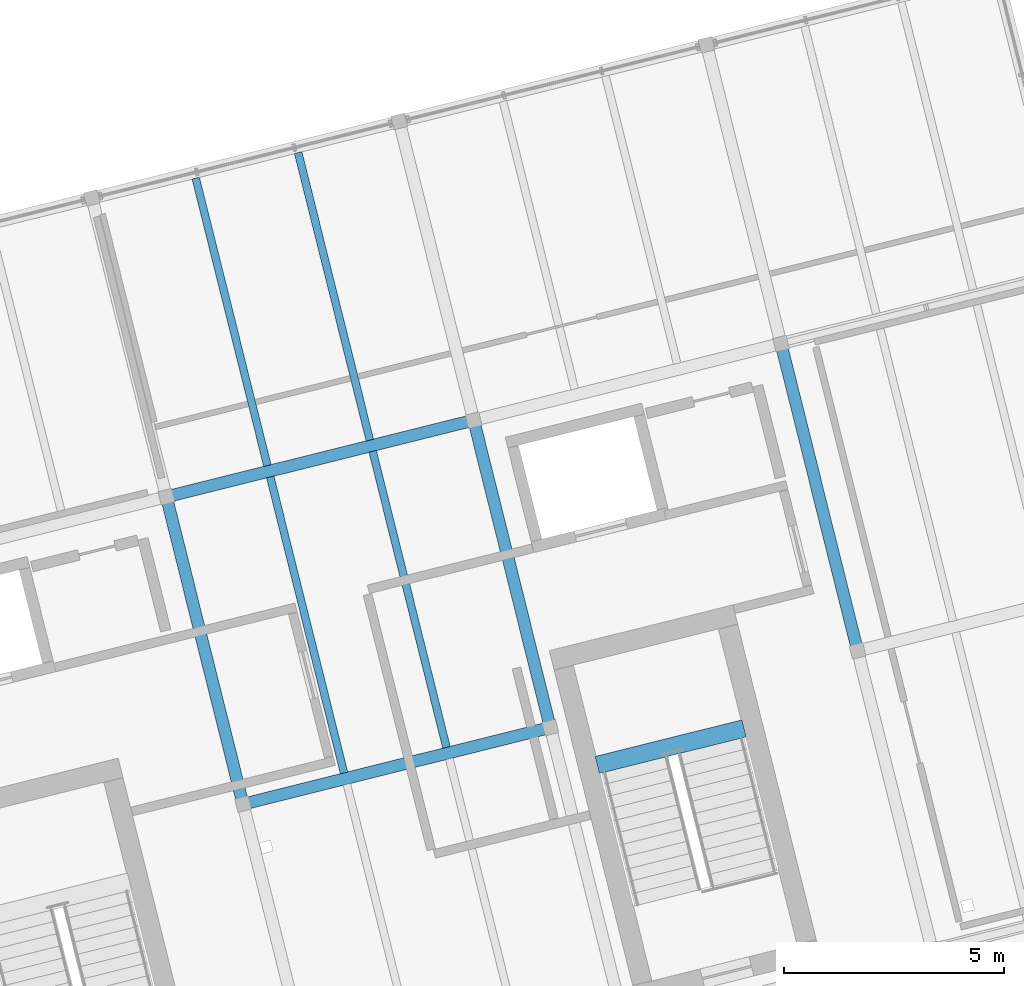
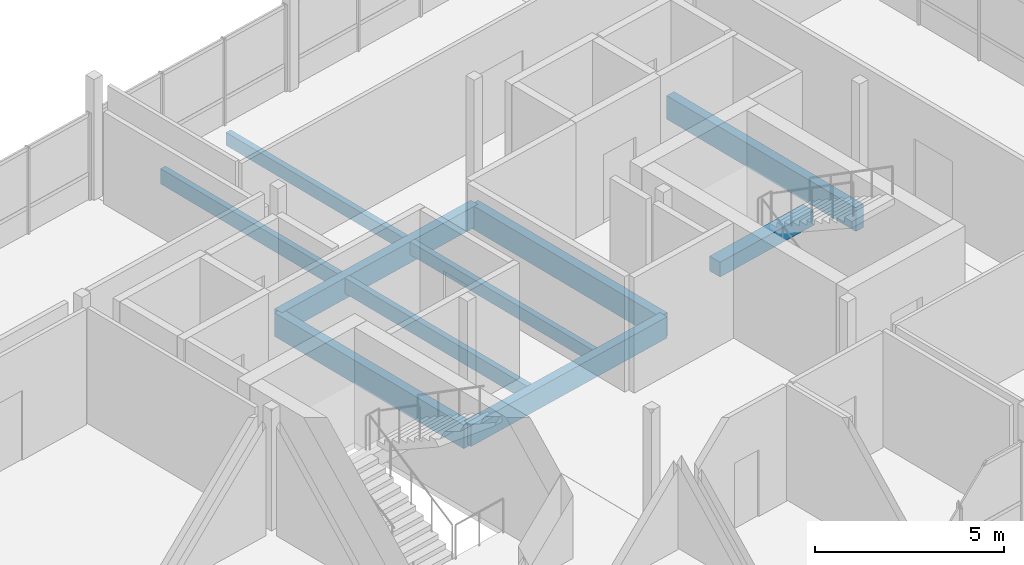
# One storey, part 13 of 25: 10 beams.
"""IFC4 building model written with IfcOpenShell, lengths in metres."""

from ifc_helpers import new_model, si_unit, direction, frame, origin, origin_2d, place, context, subcontext, project, spatial, rectangle, extrude, material, material_profile, profile_set, type_object, element, save


model = new_model("IFC4")

# Units and contexts
model_context = context("Model", 3, precision=1e-05, world=origin(), true_north=direction((0.0, 1.0)))
body_context = subcontext(model_context, "Body", "Model", "MODEL_VIEW")
ifc_project = project(units=[si_unit("LENGTHUNIT", "METRE"), si_unit("AREAUNIT", "SQUARE_METRE"), si_unit("VOLUMEUNIT", "CUBIC_METRE"), si_unit("PLANEANGLEUNIT", "RADIAN"), si_unit("MASSUNIT", "GRAM", prefix="KILO")], contexts=[model_context])

# Site, building, storey
site_placement = place(None, origin())
site = spatial("IfcSite", under=ifc_project, at=site_placement, CompositionType="ELEMENT")
building_placement = place(site_placement, origin())
building = spatial("IfcBuilding", under=site, at=building_placement, Name="Meriwether Solvik Hall", CompositionType="ELEMENT")
storey_placement = place(building_placement, frame((0.0, 0.0, 49.5)))
storey = spatial("IfcBuildingStorey", under=building, at=storey_placement, Name="L12", CompositionType="ELEMENT", Elevation=49.5)

# Beams
ifc_material_1 = material(Name="Glulam Douglas-Fir 24F-V8 GL28h", Category="wood")
ifc_material_profile_1 = material_profile(ifc_material_1, rectangle(XDim=0.27294921875, YDim=0.68505859375, at=origin_2d()), Name="GLB-273X685")
ifc_profile_set_1 = profile_set([ifc_material_profile_1], Name="Glulam Douglas-Fir 24F-V8 GL28h")
beam_type_1 = type_object("IfcBeamType", Name="BM-GL-273X685", PredefinedType="BEAM", material=ifc_profile_set_1)
for number, where, z_axis, x_axis, name in (
    (1, (79.621826171875, 58.17041015625, -0.5224609375), (0.970291911955, 0.241937193493, 0.0), (-0.241937193493, 0.970291911955, 0.0), "Tower Girder TC:T3-T4 (L12)"),
    (2, (77.880126953125, 65.15673828125, -0.5224609375), (0.970299871507, 0.241905269381, 0.0), (-0.241905269381, 0.970299871507, 0.0), "Tower Girder TD:T3-T4 (L12)"),
):
    element("IfcBeam", number, at=place(storey_placement, frame(where, z_axis=z_axis, x_axis=x_axis)), inside=storey, type_object=beam_type_1, Name=name, PredefinedType="BEAM", context=body_context, shape_type="SweptSolid", body=[
        extrude(rectangle(XDim=0.27294921875, YDim=0.68505859375, at=origin_2d()), origin(), (0.0, 0.0, 1.0), 7.199951171875),
    ])
ifc_material_2 = material(Name="Glulam Douglas-Fir 24F-V8 GL28h", Category="wood")
ifc_material_profile_2 = material_profile(ifc_material_2, rectangle(XDim=0.27294921875, YDim=0.760009765625, at=origin_2d()), Name="GLB-273X760")
ifc_profile_set_2 = profile_set([ifc_material_profile_2], Name="Glulam Douglas-Fir 24F-V8 GL28h")
beam_type_2 = type_object("IfcBeamType", Name="BM-GL-273X760", PredefinedType="BEAM", material=ifc_profile_set_2)
beam_1_placement = place(storey_placement, frame((79.621826171875, 58.17041015625, -0.56005859375), z_axis=(-0.241897310542, 0.970301855688, 0.0), x_axis=(-0.970301855688, -0.241897310542, 0.0)))
element("IfcBeam", 3, at=beam_1_placement, inside=storey, type_object=beam_type_2, Name="Tower Girder T3:TC-TD (L12)", PredefinedType="BEAM", context=body_context, shape_type="SweptSolid", body=[
    extrude(rectangle(XDim=0.27294921875, YDim=0.760009765625, at=origin_2d()), origin(), (0.0, 0.0, 1.0), 7.2001953125),
])
for number, where, z_axis, x_axis, name in (
    (4, (86.60791015625, 59.912353515625, -0.56005859375), (-0.241905269381, 0.970299871507, 0.0), (-0.970299871507, -0.241905269381, 0.0), "Tower Girder T4:TC-TD (L12)"),
    (5, (93.593994140625, 61.654296875, -0.56005859375), (-0.241905269381, 0.970299871507, 0.0), (-0.970299871507, -0.241905269381, 0.0), "Tower Girder T5:TC-TD (L12)"),
):
    element("IfcBeam", number, at=place(storey_placement, frame(where, z_axis=z_axis, x_axis=x_axis)), inside=storey, type_object=beam_type_2, Name=name, PredefinedType="BEAM", context=body_context, shape_type="SweptSolid", body=[
        extrude(rectangle(XDim=0.27294921875, YDim=0.760009765625, at=origin_2d()), origin(), (0.0, 0.0, 1.0), 7.199951171875),
    ])
ifc_material_3 = material(Name="Concrete C40/50", Category="concrete")
ifc_material_profile_3 = material_profile(ifc_material_3, rectangle(XDim=0.39990234375, YDim=0.47998046875, at=origin_2d()), Name="RCB-400X480")
ifc_profile_set_3 = profile_set([ifc_material_profile_3], Name="Concrete C40/50")
beam_type_3 = type_object("IfcBeamType", Name="BM-LND-RC-400X480", PredefinedType="BEAM", material=ifc_profile_set_3)
beam_2_placement = place(storey_placement, frame((87.67578125, 59.060302734375, 1.510009765625), z_axis=(0.970292601873, 0.24193442655, 0.0), x_axis=(-0.24193442655, 0.970292601873, 0.0)))
element("IfcBeam", 6, at=beam_2_placement, inside=storey, type_object=beam_type_3, Name="Stair ST-02 Half-Landing Header Beam (L12)", PredefinedType="BEAM", context=body_context, shape_type="SweptSolid", body=[
    extrude(rectangle(XDim=0.39990234375, YDim=0.47998046875, at=origin_2d()), origin(), (0.0, 0.0, 1.0), 3.440185546875),
])
ifc_material_4 = material(Name="Glulam Douglas-Fir 24F-V8 GL28h", Category="wood")
ifc_material_profile_4 = material_profile(ifc_material_4, rectangle(XDim=0.175048828125, YDim=0.419921875, at=origin_2d()), Name="GLJ-175X420")
ifc_profile_set_4 = profile_set([ifc_material_profile_4], Name="Glulam Douglas-Fir 24F-V8 GL28h")
beam_type_4 = type_object("IfcBeamType", Name="JST-GL-175X420", PredefinedType="JOIST", material=ifc_profile_set_4)
beam_3_placement = place(storey_placement, frame((84.24755859375, 59.459228515625, -0.389892578125), z_axis=(-0.241922788949, 0.970295503539, 0.0), x_axis=(-0.970295503539, -0.241922788949, 0.0)))
element("IfcBeam", 7, at=beam_3_placement, inside=storey, type_object=beam_type_4, Name="Glulam Floor Joist T3/TC-J2 (L12)", PredefinedType="JOIST", context=body_context, shape_type="SweptSolid", body=[
    extrude(rectangle(XDim=0.175048828125, YDim=0.419921875, at=origin_2d()), origin(), (0.0, 0.0, 1.0), 6.93701171875),
])
beam_4_placement = place(storey_placement, frame((82.505615234375, 66.445556640625, -0.389892578125), z_axis=(-0.241930176813, 0.9702936615, 0.0), x_axis=(-0.9702936615, -0.241930176813, 0.0)))
element("IfcBeam", 8, at=beam_4_placement, inside=storey, type_object=beam_type_4, Name="Glulam Floor Joist T3/TD-J2 (L12)", PredefinedType="JOIST", context=body_context, shape_type="SweptSolid", body=[
    extrude(rectangle(XDim=0.175048828125, YDim=0.419921875, at=origin_2d()), origin(), (0.0, 0.0, 1.0), 6.737060546875),
])
ifc_material_5 = material(Name="Glulam Douglas-Fir 24F-V8 GL28h", Category="wood")
ifc_material_profile_5 = material_profile(ifc_material_5, rectangle(XDim=0.175048828125, YDim=0.4951171875, at=origin_2d()), Name="GLJ-175X495")
ifc_profile_set_5 = profile_set([ifc_material_profile_5], Name="Glulam Douglas-Fir 24F-V8 GL28h")
beam_type_5 = type_object("IfcBeamType", Name="JST-GL-175X495", PredefinedType="JOIST", material=ifc_profile_set_5)
beam_5_placement = place(storey_placement, frame((81.918701171875, 58.878662109375, -0.427490234375), z_axis=(-0.241922788949, 0.970295503539, 0.0), x_axis=(-0.970295503539, -0.241922788949, 0.0)))
element("IfcBeam", 9, at=beam_5_placement, inside=storey, type_object=beam_type_5, Name="Glulam Floor Joist T3/TC-J1 (L12)", PredefinedType="JOIST", context=body_context, shape_type="SweptSolid", body=[
    extrude(rectangle(XDim=0.175048828125, YDim=0.4951171875, at=origin_2d()), origin(), (0.0, 0.0, 1.0), 6.93701171875),
])
beam_6_placement = place(storey_placement, frame((80.177001953125, 65.86474609375, -0.427490234375), z_axis=(-0.241921670289, 0.970295782452, 0.0), x_axis=(-0.970295782452, -0.241921670289, 0.0)))
element("IfcBeam", 10, at=beam_6_placement, inside=storey, type_object=beam_type_5, Name="Glulam Floor Joist T3/TD-J1 (L12)", PredefinedType="JOIST", context=body_context, shape_type="SweptSolid", body=[
    extrude(rectangle(XDim=0.175048828125, YDim=0.4951171875, at=origin_2d()), origin(), (0.0, 0.0, 1.0), 6.7373046875),
])

save(model, "model.ifc")
